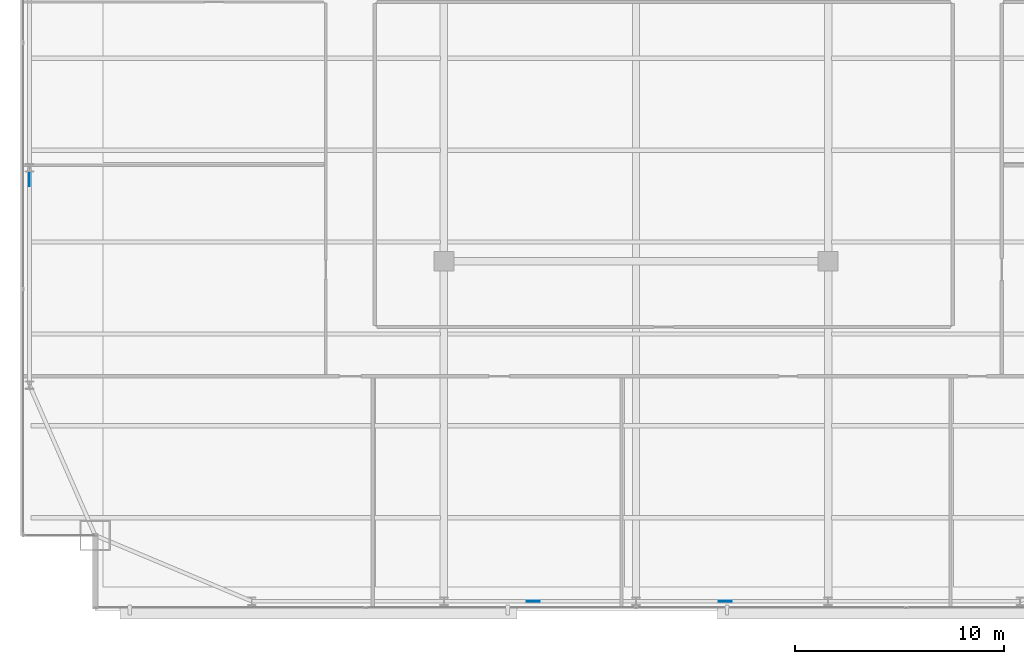
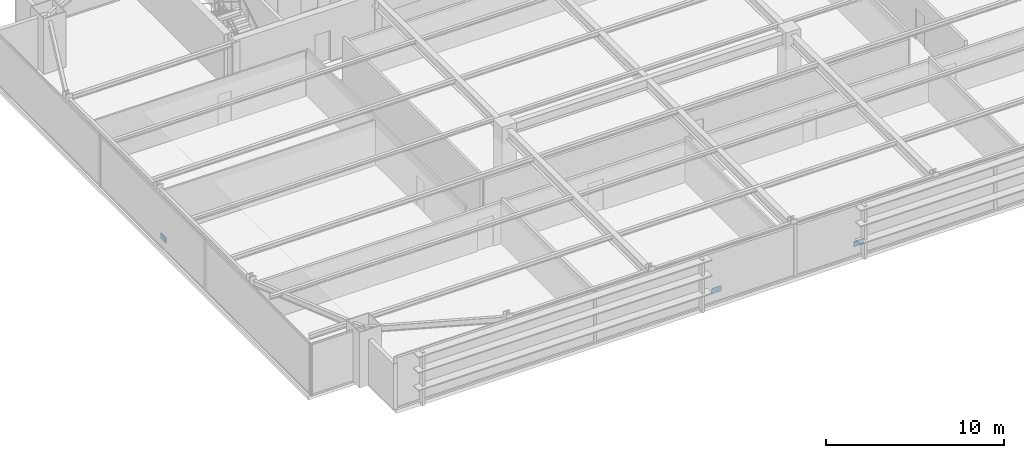
# One storey, part 27 of 33: 3 plates.
"""IFC4 building model written with IfcOpenShell, lengths in metres."""

from ifc_helpers import new_model, si_unit, direction, frame, origin, origin_2d, place, context, subcontext, project, spatial, rectangle, extrude, source, transform, mapped, material, layer, layer_set, type_object, type_shapes, element, save


model = new_model("IFC4")

# Units and contexts
model_context = context("Model", 3, precision=1e-05, world=origin(), true_north=direction((0.0, 1.0)))
body_context = subcontext(model_context, "Body", "Model", "MODEL_VIEW")
ifc_project = project(units=[si_unit("LENGTHUNIT", "METRE"), si_unit("AREAUNIT", "SQUARE_METRE"), si_unit("VOLUMEUNIT", "CUBIC_METRE"), si_unit("PLANEANGLEUNIT", "RADIAN"), si_unit("MASSUNIT", "GRAM", prefix="KILO")], contexts=[model_context])

# Site, building, storey
site_placement = place(None, origin())
site = spatial("IfcSite", under=ifc_project, at=site_placement, CompositionType="ELEMENT")
building_placement = place(site_placement, origin())
building = spatial("IfcBuilding", under=site, at=building_placement, Name="Varnel Quay Broadcast Tower", CompositionType="ELEMENT")
storey_placement = place(building_placement, frame((0.0, 0.0, 129.60009765625)))
storey = spatial("IfcBuildingStorey", under=building, at=storey_placement, Name="L31", CompositionType="ELEMENT", Elevation=129.60009765625)

# Plates
ifc_material = material(Name="Structural Steel CSA G40.21 350WT", Category="steel")
ifc_layer = layer(ifc_material, 0.031982421875, Name="Structural Steel CSA G40.21 350WT")
ifc_layer_set = layer_set([ifc_layer], Name="Structural Steel CSA G40.21 350WT")
plate_type = type_object("IfcPlateType", Name="Plate_EndCap", PredefinedType="USERDEFINED", material=ifc_layer_set)
shared_shape = source(origin(), body_context, "Body", "SweptSolid", [
    extrude(rectangle(XDim=0.6201171875, YDim=0.031982421875, at=origin_2d()), origin(), (0.0, 0.0, 1.0), 0.3798828125),
])
type_shapes(plate_type, [shared_shape])
for number, where, z_axis, x_axis, name in (
    (1, (29.084228515625, 4.64990234375, 0.420166015625), (0.0, 0.0, 1.0), (1.0, 0.0, 0.0), "Zone 2 Mega-Brace S-C1T3 Diag B2 End Connection Plate P0"),
    (2, (38.2841796875, 4.64990234375, 0.420166015625), (0.0, 0.0, 1.0), (1.0, 0.0, 0.0), "Zone 2 Mega-Brace S-C2T3 Diag B2 End Connection Plate P0"),
    (3, (4.949951171875, 24.822509765625, 0.170166015625), (0.0, 0.0, 1.0), (0.0, 1.0, 0.0), "Zone 2 Mega-Brace W-FT3 Diag B2 End Connection Plate P0"),
):
    element("IfcPlate", number, at=place(storey_placement, frame(where, z_axis=z_axis, x_axis=x_axis)), inside=storey, type_object=plate_type, Name=name, ObjectType="CAP_PLATE", PredefinedType="USERDEFINED", context=body_context, shape_type="MappedRepresentation", body=[
        mapped(shared_shape, transform((0.0, 0.0, 0.0), x_axis=(1.0, 0.0, 0.0), y_axis=(0.0, 1.0, 0.0), z_axis=(0.0, 0.0, 1.0), scale=1.0)),
    ])

save(model, "model.ifc")
